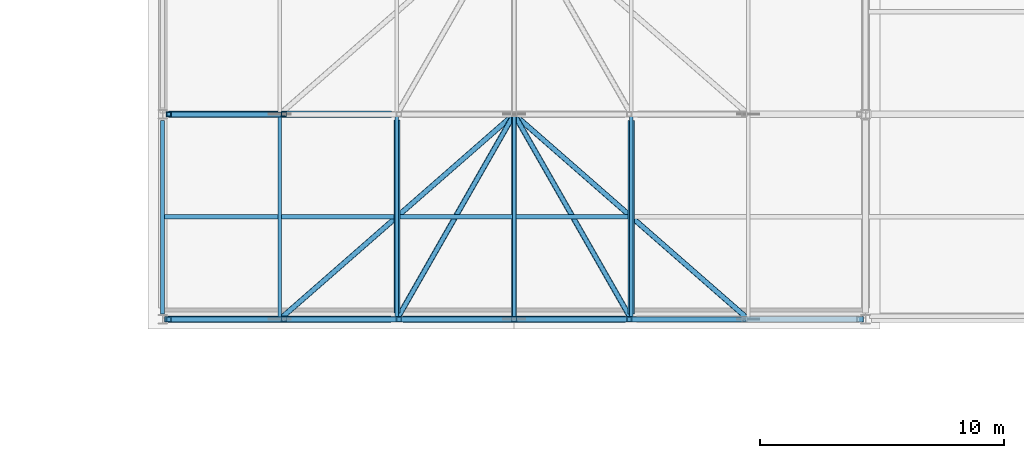
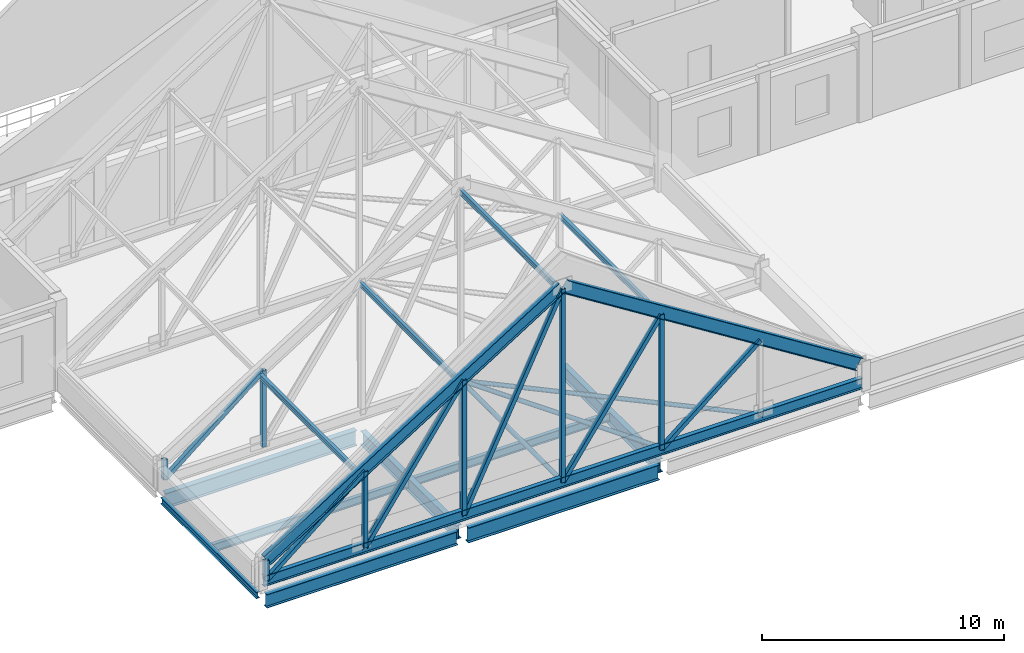
# One storey, part 4 of 26: 18 members, 15 beams.
"""IFC4 building model written with IfcOpenShell, lengths in metres."""

from ifc_helpers import new_model, si_unit, direction, frame, origin, origin_2d, place, context, subcontext, project, spatial, hollow_rectangle, hollow_circle, i_section, extrude, material, material_profile, profile_set, type_object, element, save


model = new_model("IFC4")

# Units and contexts
model_context = context("Model", 3, precision=1e-05, world=origin(), true_north=direction((0.0, 1.0)))
body_context = subcontext(model_context, "Body", "Model", "MODEL_VIEW")
ifc_project = project(units=[si_unit("LENGTHUNIT", "METRE"), si_unit("AREAUNIT", "SQUARE_METRE"), si_unit("VOLUMEUNIT", "CUBIC_METRE"), si_unit("PLANEANGLEUNIT", "RADIAN"), si_unit("MASSUNIT", "GRAM", prefix="KILO")], contexts=[model_context])

# Site, building, storey
site_placement = place(None, origin())
site = spatial("IfcSite", under=ifc_project, at=site_placement, CompositionType="ELEMENT")
building_placement = place(site_placement, origin())
building = spatial("IfcBuilding", under=site, at=building_placement, Name="Lornevale Opera House", CompositionType="ELEMENT")
storey_placement = place(building_placement, frame((0.0, 0.0, 19.800048828125)))
storey = spatial("IfcBuildingStorey", under=building, at=storey_placement, Name="L05", CompositionType="ELEMENT", Elevation=19.800048828125)

# Beams
ifc_material = material(Name="Structural Steel CSA G40.21 Grade 350W (350 MPa)", Category="steel")
ifc_material_profile_1 = material_profile(ifc_material, i_section(OverallWidth=0.2099609375, OverallDepth=0.537109375, WebThickness=0.010986328125, FlangeThickness=0.017333984375, at=origin_2d()), Name="W530x101")
ifc_profile_set_1 = profile_set([ifc_material_profile_1], Name="Structural Steel CSA G40.21 Grade 350W (350 MPa)")
beam_type_1 = type_object("IfcBeamType", Name="Auditorium Truss Bottom Chord W530x101", PredefinedType="BEAM", material=ifc_profile_set_1)
beam_1_placement = place(storey_placement, frame((67.300048828125, 33.60009765625, 0.349853515625), z_axis=(1.0, 0.0, 0.0), x_axis=(0.0, 1.0, 0.0)))
element("IfcBeam", 1, at=beam_1_placement, inside=storey, type_object=beam_type_1, Name="Auditorium Truss Bottom Chord W530x101 2957", PredefinedType="BEAM", context=body_context, shape_type="SweptSolid", body=[
    extrude(i_section(OverallWidth=0.2099609375, OverallDepth=0.537109375, WebThickness=0.010986328125, FlangeThickness=0.017333984375, at=origin_2d()), origin(), (0.0, 0.0, 1.0), 28.599853515625),
])
ifc_material_profile_2 = material_profile(ifc_material, i_section(OverallWidth=0.22900390625, OverallDepth=0.612060546875, WebThickness=0.011962890625, FlangeThickness=0.01953125, at=origin_2d()), Name="W610x125")
ifc_profile_set_2 = profile_set([ifc_material_profile_2], Name="Structural Steel CSA G40.21 Grade 350W (350 MPa)")
beam_type_2 = type_object("IfcBeamType", Name="Auditorium Truss Top Chord W610x125", PredefinedType="BEAM", material=ifc_profile_set_2)
for number, where, z_axis, x_axis, name in (
    (2, (67.449951171875, 33.60009765625, 1.349853515625), (0.846355912416, 0.0, 0.532617751788), (0.0, 1.0, 0.0), "Auditorium Truss Top Chord W610x125 2958"),
    (3, (81.64990234375, 33.60009765625, 10.22314453125), (0.846355912416, 0.0, -0.532617751788), (0.0, 1.0, 0.0), "Auditorium Truss Top Chord W610x125 2959"),
):
    element("IfcBeam", number, at=place(storey_placement, frame(where, z_axis=z_axis, x_axis=x_axis)), inside=storey, type_object=beam_type_2, Name=name, PredefinedType="BEAM", context=body_context, shape_type="SweptSolid", body=[
        extrude(i_section(OverallWidth=0.22900390625, OverallDepth=0.612060546875, WebThickness=0.011962890625, FlangeThickness=0.01953125, at=origin_2d()), origin(), (0.0, 0.0, 1.0), 16.65966796875),
    ])

# Members
ifc_material_profile_3 = material_profile(ifc_material, hollow_rectangle(XDim=0.202880859375, YDim=0.202880859375, WallThickness=0.010986328125, at=origin_2d()), Name="HSS203x203x11")
ifc_profile_set_3 = profile_set([ifc_material_profile_3], Name="Structural Steel CSA G40.21 Grade 350W (350 MPa)")
member_type_1 = type_object("IfcMemberType", Name="Auditorium Truss Web HSS203x203x11", PredefinedType="STRUT", material=ifc_profile_set_3)
member_1_placement = place(storey_placement, frame((67.449951171875, 33.60009765625, 0.349853515625), z_axis=(0.0, 0.0, 1.0), x_axis=(1.0, 0.0, 0.0)))
element("IfcMember", 4, at=member_1_placement, inside=storey, type_object=member_type_1, Name="Auditorium Truss Web HSS203x203x11 0005", PredefinedType="STRUT", context=body_context, shape_type="SweptSolid", body=[
    extrude(hollow_rectangle(XDim=0.202880859375, YDim=0.202880859375, WallThickness=0.010986328125, at=origin_2d()), origin(), (0.0, 0.0, 1.0), 1.0),
])
member_2_placement = place(storey_placement, frame((72.166748046875, 33.60009765625, 0.349853515625), z_axis=(0.0, 0.0, 1.0), x_axis=(1.0, 0.0, 0.0)))
element("IfcMember", 5, at=member_2_placement, inside=storey, type_object=member_type_1, Name="Auditorium Truss Web HSS203x203x11 0007", PredefinedType="STRUT", context=body_context, shape_type="SweptSolid", body=[
    extrude(hollow_rectangle(XDim=0.202880859375, YDim=0.202880859375, WallThickness=0.010986328125, at=origin_2d()), origin(), (0.0, 0.0, 1.0), 3.85791015625),
])
member_3_placement = place(storey_placement, frame((67.449951171875, 33.60009765625, 0.349853515625), z_axis=(0.774060823837, 0.0, 0.633111239041), x_axis=(0.0, 1.0, 0.0)))
element("IfcMember", 6, at=member_3_placement, inside=storey, type_object=member_type_1, Name="Auditorium Truss Web HSS203x203x11 0008", PredefinedType="STRUT", context=body_context, shape_type="SweptSolid", body=[
    extrude(hollow_rectangle(XDim=0.202880859375, YDim=0.202880859375, WallThickness=0.010986328125, at=origin_2d()), origin(), (0.0, 0.0, 1.0), 6.093505859375),
])
member_4_placement = place(storey_placement, frame((76.88330078125, 33.60009765625, 0.349853515625), z_axis=(0.0, 0.0, 1.0), x_axis=(1.0, 0.0, 0.0)))
element("IfcMember", 7, at=member_4_placement, inside=storey, type_object=member_type_1, Name="Auditorium Truss Web HSS203x203x11 0009", PredefinedType="STRUT", context=body_context, shape_type="SweptSolid", body=[
    extrude(hollow_rectangle(XDim=0.202880859375, YDim=0.202880859375, WallThickness=0.010986328125, at=origin_2d()), origin(), (0.0, 0.0, 1.0), 6.8154296875),
])
member_5_placement = place(storey_placement, frame((72.166748046875, 33.60009765625, 0.349853515625), z_axis=(0.56906139323, 0.0, 0.822295038739), x_axis=(0.0, 1.0, 0.0)))
element("IfcMember", 8, at=member_5_placement, inside=storey, type_object=member_type_1, Name="Auditorium Truss Web HSS203x203x11 0010", PredefinedType="STRUT", context=body_context, shape_type="SweptSolid", body=[
    extrude(hollow_rectangle(XDim=0.202880859375, YDim=0.202880859375, WallThickness=0.010986328125, at=origin_2d()), origin(), (0.0, 0.0, 1.0), 8.288330078125),
])
member_6_placement = place(storey_placement, frame((81.60009765625, 33.60009765625, 0.349853515625), z_axis=(0.0, 0.0, 1.0), x_axis=(1.0, 0.0, 0.0)))
element("IfcMember", 9, at=member_6_placement, inside=storey, type_object=member_type_1, Name="Auditorium Truss Web HSS203x203x11 0011", PredefinedType="STRUT", context=body_context, shape_type="SweptSolid", body=[
    extrude(hollow_rectangle(XDim=0.202880859375, YDim=0.202880859375, WallThickness=0.010986328125, at=origin_2d()), origin(), (0.0, 0.0, 1.0), 9.773193359375),
])
member_7_placement = place(storey_placement, frame((76.88330078125, 33.60009765625, 0.349853515625), z_axis=(0.434652174265, 0.0, 0.900598405177), x_axis=(0.0, 1.0, 0.0)))
element("IfcMember", 10, at=member_7_placement, inside=storey, type_object=member_type_1, Name="Auditorium Truss Web HSS203x203x11 0012", PredefinedType="STRUT", context=body_context, shape_type="SweptSolid", body=[
    extrude(hollow_rectangle(XDim=0.202880859375, YDim=0.202880859375, WallThickness=0.010986328125, at=origin_2d()), origin(), (0.0, 0.0, 1.0), 10.851806640625),
])
member_8_placement = place(storey_placement, frame((86.316650390625, 33.60009765625, 0.349853515625), z_axis=(0.0, 0.0, 1.0), x_axis=(1.0, 0.0, 0.0)))
element("IfcMember", 11, at=member_8_placement, inside=storey, type_object=member_type_1, Name="Auditorium Truss Web HSS203x203x11 0013", PredefinedType="STRUT", context=body_context, shape_type="SweptSolid", body=[
    extrude(hollow_rectangle(XDim=0.202880859375, YDim=0.202880859375, WallThickness=0.010986328125, at=origin_2d()), origin(), (0.0, 0.0, 1.0), 6.8154296875),
])
member_9_placement = place(storey_placement, frame((81.60009765625, 33.60009765625, 0.349853515625), z_axis=(0.56906139323, 0.0, 0.822295038739), x_axis=(0.0, 1.0, 0.0)))
element("IfcMember", 12, at=member_9_placement, inside=storey, type_object=member_type_1, Name="Auditorium Truss Web HSS203x203x11 0014", PredefinedType="STRUT", context=body_context, shape_type="SweptSolid", body=[
    extrude(hollow_rectangle(XDim=0.202880859375, YDim=0.202880859375, WallThickness=0.010986328125, at=origin_2d()), origin(), (0.0, 0.0, 1.0), 8.288330078125),
])
member_10_placement = place(storey_placement, frame((86.316650390625, 33.60009765625, 0.349853515625), z_axis=(0.774044763738, 0.0, 0.633130874093), x_axis=(0.0, 1.0, 0.0)))
element("IfcMember", 13, at=member_10_placement, inside=storey, type_object=member_type_1, Name="Auditorium Truss Web HSS203x203x11 0016", PredefinedType="STRUT", context=body_context, shape_type="SweptSolid", body=[
    extrude(hollow_rectangle(XDim=0.202880859375, YDim=0.202880859375, WallThickness=0.010986328125, at=origin_2d()), origin(), (0.0, 0.0, 1.0), 6.093505859375),
])
member_11_placement = place(storey_placement, frame((67.449951171875, 42.0, 0.349853515625), z_axis=(0.0, 0.0, 1.0), x_axis=(1.0, 0.0, 0.0)))
element("IfcMember", 14, at=member_11_placement, inside=storey, type_object=member_type_1, Name="Auditorium Truss Web HSS203x203x11 0017", PredefinedType="STRUT", context=body_context, shape_type="SweptSolid", body=[
    extrude(hollow_rectangle(XDim=0.202880859375, YDim=0.202880859375, WallThickness=0.010986328125, at=origin_2d()), origin(), (0.0, 0.0, 1.0), 1.0),
])
member_12_placement = place(storey_placement, frame((72.166748046875, 42.0, 0.349853515625), z_axis=(0.0, 0.0, 1.0), x_axis=(1.0, 0.0, 0.0)))
element("IfcMember", 15, at=member_12_placement, inside=storey, type_object=member_type_1, Name="Auditorium Truss Web HSS203x203x11 0019", PredefinedType="STRUT", context=body_context, shape_type="SweptSolid", body=[
    extrude(hollow_rectangle(XDim=0.202880859375, YDim=0.202880859375, WallThickness=0.010986328125, at=origin_2d()), origin(), (0.0, 0.0, 1.0), 3.85791015625),
])
member_13_placement = place(storey_placement, frame((67.449951171875, 42.0, 0.349853515625), z_axis=(0.774060823837, 0.0, 0.633111239041), x_axis=(0.0, 1.0, 0.0)))
element("IfcMember", 16, at=member_13_placement, inside=storey, type_object=member_type_1, Name="Auditorium Truss Web HSS203x203x11 0020", PredefinedType="STRUT", context=body_context, shape_type="SweptSolid", body=[
    extrude(hollow_rectangle(XDim=0.202880859375, YDim=0.202880859375, WallThickness=0.010986328125, at=origin_2d()), origin(), (0.0, 0.0, 1.0), 6.093505859375),
])

# Beams
ifc_material_profile_4 = material_profile(ifc_material, i_section(OverallWidth=0.14794921875, OverallDepth=0.26611328125, WebThickness=0.007568359375, FlangeThickness=0.012939453125, at=origin_2d()), Name="W250x45")
ifc_profile_set_4 = profile_set([ifc_material_profile_4], Name="Structural Steel CSA G40.21 Grade 350W (350 MPa)")
beam_type_3 = type_object("IfcBeamType", Name="Copper Roof Purlin W250x45", PredefinedType="JOIST", material=ifc_profile_set_4)
for number, where, z_axis, x_axis, name in (
    (17, (72.0, 33.60009765625, 3.987548828125), (0.0, 1.0, 0.0), (-1.0, 0.0, 0.0), "Copper Roof Purlin W250x45 2969"),
    (18, (76.800048828125, 33.60009765625, 6.9453125), (0.0, 1.0, 0.0), (-1.0, 0.0, 0.0), "Copper Roof Purlin W250x45 2972"),
    (19, (81.60009765625, 33.60009765625, 9.903076171875), (0.0, 1.0, 0.0), (-1.0, 0.0, 0.0), "Copper Roof Purlin W250x45 2975"),
    (20, (86.39990234375, 33.60009765625, 6.9453125), (0.0, 1.0, 0.0), (-1.0, 0.0, 0.0), "Copper Roof Purlin W250x45 2978"),
):
    element("IfcBeam", number, at=place(storey_placement, frame(where, z_axis=z_axis, x_axis=x_axis)), inside=storey, type_object=beam_type_3, Name=name, PredefinedType="JOIST", context=body_context, shape_type="SweptSolid", body=[
        extrude(i_section(OverallWidth=0.14794921875, OverallDepth=0.26611328125, WebThickness=0.007568359375, FlangeThickness=0.012939453125, at=origin_2d()), origin(), (0.0, 0.0, 1.0), 8.39990234375),
    ])

# Members
ifc_material_profile_5 = material_profile(ifc_material, hollow_circle(Radius=0.109619140625, WallThickness=0.009521484375, at=origin_2d()), Name="HSS219x10")
ifc_profile_set_5 = profile_set([ifc_material_profile_5], Name="Structural Steel CSA G40.21 Grade 350W (350 MPa)")
member_type_2 = type_object("IfcMemberType", Name="Roof Plan Wind Brace HSS219x10", PredefinedType="BRACE", material=ifc_profile_set_5)
member_14_placement = place(storey_placement, frame((72.0, 33.60009765625, 0.349853515625), z_axis=(0.752583808274, 0.658496477989, 0.0), x_axis=(-0.658496477989, 0.752583808274, 0.0)))
element("IfcMember", 21, at=member_14_placement, inside=storey, type_object=member_type_2, Name="Roof Plan Wind Brace HSS219x10 0053", PredefinedType="BRACE", context=body_context, shape_type="SweptSolid", body=[
    extrude(hollow_circle(Radius=0.109619140625, WallThickness=0.009521484375, at=origin_2d()), origin(), (0.0, 0.0, 1.0), 12.756103515625),
])
member_15_placement = place(storey_placement, frame((76.800048828125, 33.60009765625, 0.349853515625), z_axis=(0.49614709121, 0.8682384833, 0.0), x_axis=(-0.8682384833, 0.49614709121, 0.0)))
element("IfcMember", 22, at=member_15_placement, inside=storey, type_object=member_type_2, Name="Roof Plan Wind Brace HSS219x10 0056", PredefinedType="BRACE", context=body_context, shape_type="SweptSolid", body=[
    extrude(hollow_circle(Radius=0.109619140625, WallThickness=0.009521484375, at=origin_2d()), origin(), (0.0, 0.0, 1.0), 9.674560546875),
])
member_16_placement = place(storey_placement, frame((81.60009765625, 33.60009765625, 0.349853515625), z_axis=(0.0, 1.0, 0.0), x_axis=(-1.0, 0.0, 0.0)))
element("IfcMember", 23, at=member_16_placement, inside=storey, type_object=member_type_2, Name="Roof Plan Wind Brace HSS219x10 0059", PredefinedType="BRACE", context=body_context, shape_type="SweptSolid", body=[
    extrude(hollow_circle(Radius=0.109619140625, WallThickness=0.009521484375, at=origin_2d()), origin(), (0.0, 0.0, 1.0), 8.39990234375),
])
member_17_placement = place(storey_placement, frame((86.39990234375, 33.60009765625, 0.349853515625), z_axis=(-0.496128067682, 0.868249353848, 0.0), x_axis=(-0.868249353848, -0.496128067682, 0.0)))
element("IfcMember", 24, at=member_17_placement, inside=storey, type_object=member_type_2, Name="Roof Plan Wind Brace HSS219x10 0062", PredefinedType="BRACE", context=body_context, shape_type="SweptSolid", body=[
    extrude(hollow_circle(Radius=0.109619140625, WallThickness=0.009521484375, at=origin_2d()), origin(), (0.0, 0.0, 1.0), 9.674560546875),
])
member_18_placement = place(storey_placement, frame((91.199951171875, 33.60009765625, 0.349853515625), z_axis=(-0.752575509087, 0.658505962861, 0.0), x_axis=(-0.658505962861, -0.752575509087, 0.0)))
element("IfcMember", 25, at=member_18_placement, inside=storey, type_object=member_type_2, Name="Roof Plan Wind Brace HSS219x10 0065", PredefinedType="BRACE", context=body_context, shape_type="SweptSolid", body=[
    extrude(hollow_circle(Radius=0.109619140625, WallThickness=0.009521484375, at=origin_2d()), origin(), (0.0, 0.0, 1.0), 12.756103515625),
])

# Beams
ifc_material_profile_6 = material_profile(ifc_material, i_section(OverallWidth=0.179931640625, OverallDepth=0.4130859375, WebThickness=0.009765625, FlangeThickness=0.01611328125, at=origin_2d()), Name="W410x74")
ifc_profile_set_6 = profile_set([ifc_material_profile_6], Name="Structural Steel CSA G40.21 Grade 350W (350 MPa)")
beam_type_4 = type_object("IfcBeamType", Name="Steel Floor Joist W410x74", PredefinedType="JOIST", material=ifc_profile_set_6)
beam_2_placement = place(storey_placement, frame((67.283447265625, 37.800048828125, -0.54150390625), z_axis=(1.0, 0.0, 0.0), x_axis=(0.0, 1.0, 0.0)))
element("IfcBeam", 26, at=beam_2_placement, inside=storey, type_object=beam_type_4, Name="Steel Floor Joist W410x74 2806", PredefinedType="JOIST", context=body_context, shape_type="SweptSolid", body=[
    extrude(i_section(OverallWidth=0.179931640625, OverallDepth=0.4130859375, WebThickness=0.009765625, FlangeThickness=0.01611328125, at=origin_2d()), origin(), (0.0, 0.0, 1.0), 9.3896484375),
])
beam_3_placement = place(storey_placement, frame((76.927001953125, 37.800048828125, -0.54150390625), z_axis=(1.0, 0.0, 0.0), x_axis=(0.0, 1.0, 0.0)))
element("IfcBeam", 27, at=beam_3_placement, inside=storey, type_object=beam_type_4, Name="Steel Floor Joist W410x74 2807", PredefinedType="JOIST", context=body_context, shape_type="SweptSolid", body=[
    extrude(i_section(OverallWidth=0.179931640625, OverallDepth=0.4130859375, WebThickness=0.009765625, FlangeThickness=0.01611328125, at=origin_2d()), origin(), (0.0, 0.0, 1.0), 9.345947265625),
])
ifc_material_profile_7 = material_profile(ifc_material, i_section(OverallWidth=0.25390625, OverallDepth=0.68798828125, WebThickness=0.01318359375, FlangeThickness=0.02099609375, at=origin_2d()), Name="W690x152")
ifc_profile_set_7 = profile_set([ifc_material_profile_7], Name="Structural Steel CSA G40.21 Grade 350W (350 MPa)")
beam_type_5 = type_object("IfcBeamType", Name="Steel Foyer Beam W690x152", PredefinedType="USERDEFINED", material=ifc_profile_set_7)
beam_4_placement = place(storey_placement, frame((67.425048828125, 33.60009765625, -0.678955078125), z_axis=(1.0, 0.0, 0.0), x_axis=(0.0, 1.0, 0.0)))
element("IfcBeam", 28, at=beam_4_placement, inside=storey, type_object=beam_type_5, Name="Steel Foyer Beam W690x152 2716", ObjectType="GIRDER", PredefinedType="USERDEFINED", context=body_context, shape_type="SweptSolid", body=[
    extrude(i_section(OverallWidth=0.25390625, OverallDepth=0.68798828125, WebThickness=0.01318359375, FlangeThickness=0.02099609375, at=origin_2d()), origin(), (0.0, 0.0, 1.0), 9.125),
])
beam_5_placement = place(storey_placement, frame((76.800048828125, 33.85009765625, -0.678955078125), z_axis=(0.0, 1.0, 0.0), x_axis=(-1.0, 0.0, 0.0)))
element("IfcBeam", 29, at=beam_5_placement, inside=storey, type_object=beam_type_5, Name="Steel Foyer Beam W690x152 2767", ObjectType="GIRDER", PredefinedType="USERDEFINED", context=body_context, shape_type="SweptSolid", body=[
    extrude(i_section(OverallWidth=0.25390625, OverallDepth=0.68798828125, WebThickness=0.01318359375, FlangeThickness=0.02099609375, at=origin_2d()), origin(), (0.0, 0.0, 1.0), 7.9248046875),
])
beam_6_placement = place(storey_placement, frame((86.39990234375, 33.824951171875, -0.678955078125), z_axis=(0.0, 1.0, 0.0), x_axis=(-1.0, 0.0, 0.0)))
element("IfcBeam", 30, at=beam_6_placement, inside=storey, type_object=beam_type_5, Name="Steel Foyer Beam W690x152 2768", ObjectType="GIRDER", PredefinedType="USERDEFINED", context=body_context, shape_type="SweptSolid", body=[
    extrude(i_section(OverallWidth=0.25390625, OverallDepth=0.68798828125, WebThickness=0.01318359375, FlangeThickness=0.02099609375, at=origin_2d()), origin(), (0.0, 0.0, 1.0), 7.925048828125),
])
ifc_material_profile_8 = material_profile(ifc_material, i_section(OverallWidth=0.1669921875, OverallDepth=0.31689453125, WebThickness=0.007568359375, FlangeThickness=0.01318359375, at=origin_2d()), Name="W310x52")
ifc_profile_set_8 = profile_set([ifc_material_profile_8], Name="Structural Steel CSA G40.21 Grade 350W (350 MPa)")
beam_type_6 = type_object("IfcBeamType", Name="Steel Spandrel Beam W310x52", PredefinedType="SPANDREL", material=ifc_profile_set_8)
beam_7_placement = place(storey_placement, frame((67.199951171875, 33.824951171875, -0.49365234375), z_axis=(0.0, 1.0, 0.0), x_axis=(-1.0, 0.0, 0.0)))
element("IfcBeam", 31, at=beam_7_placement, inside=storey, type_object=beam_type_6, Name="Steel Spandrel Beam W310x52 2761", PredefinedType="SPANDREL", context=body_context, shape_type="SweptSolid", body=[
    extrude(i_section(OverallWidth=0.1669921875, OverallDepth=0.31689453125, WebThickness=0.007568359375, FlangeThickness=0.01318359375, at=origin_2d()), origin(), (0.0, 0.0, 1.0), 7.925048828125),
])
ifc_material_profile_9 = material_profile(ifc_material, i_section(OverallWidth=0.26708984375, OverallDepth=0.76611328125, WebThickness=0.014892578125, FlangeThickness=0.023681640625, at=origin_2d()), Name="W760x185")
ifc_profile_set_9 = profile_set([ifc_material_profile_9], Name="Structural Steel CSA G40.21 Grade 350W (350 MPa)")
beam_type_7 = type_object("IfcBeamType", Name="Steel Workshop Girder W760x185", PredefinedType="USERDEFINED", material=ifc_profile_set_9)
for number, where, z_axis, x_axis, name in (
    (32, (77.050048828125, 33.60009765625, -0.718017578125), (1.0, 0.0, 0.0), (0.0, 1.0, 0.0), "Steel Workshop Girder W760x185 2717"),
    (33, (67.449951171875, 42.0, -0.718017578125), (1.0, 0.0, 0.0), (0.0, 1.0, 0.0), "Steel Workshop Girder W760x185 2724"),
):
    element("IfcBeam", number, at=place(storey_placement, frame(where, z_axis=z_axis, x_axis=x_axis)), inside=storey, type_object=beam_type_7, Name=name, ObjectType="GIRDER", PredefinedType="USERDEFINED", context=body_context, shape_type="SweptSolid", body=[
        extrude(i_section(OverallWidth=0.26708984375, OverallDepth=0.76611328125, WebThickness=0.014892578125, FlangeThickness=0.023681640625, at=origin_2d()), origin(), (0.0, 0.0, 1.0), 9.125),
    ])

save(model, "model.ifc")
